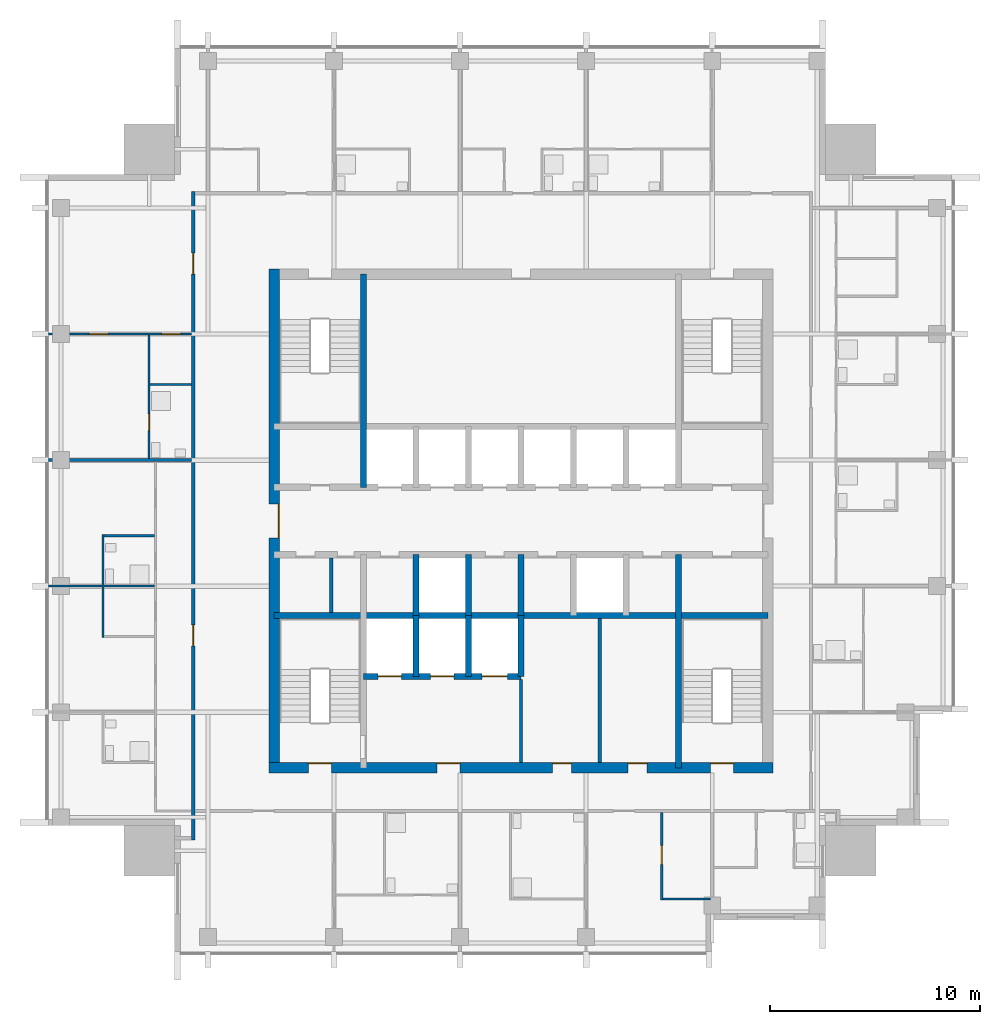
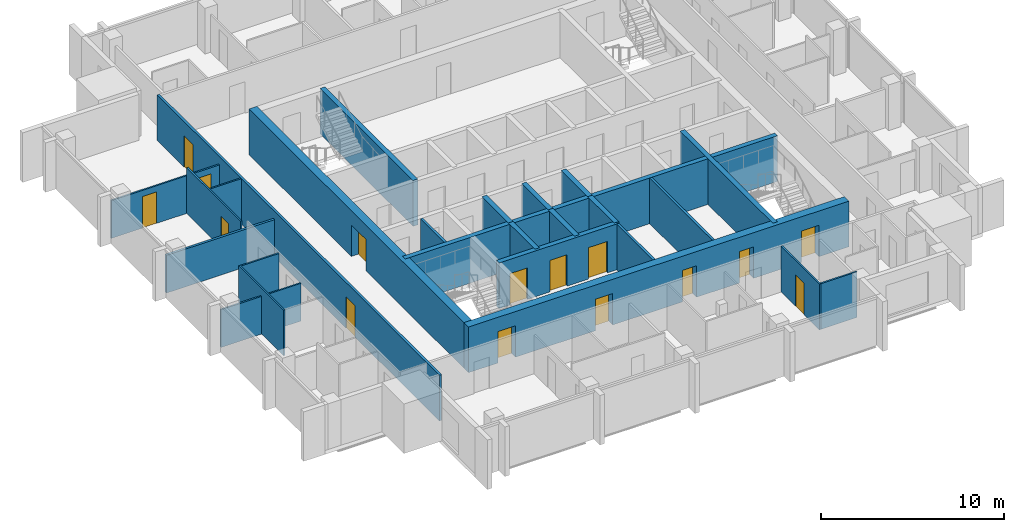
# One storey, part 4 of 9: 25 walls, 15 doors, 15 openings.
"""IFC4 building model written with IfcOpenShell, lengths in metres."""

from ifc_helpers import new_model, si_unit, direction, frame, frame_2d, origin, place, context, subcontext, project, spatial, rectangle, extrude, material, layer, layer_set, type_object, element, fill, save


model = new_model("IFC4")

# Units and contexts
model_context = context("Model", 3, precision=1e-05, world=origin(), true_north=direction((0.0, 1.0)))
body_context = subcontext(model_context, "Body", "Model", "MODEL_VIEW")
ifc_project = project(units=[si_unit("LENGTHUNIT", "METRE"), si_unit("AREAUNIT", "SQUARE_METRE"), si_unit("VOLUMEUNIT", "CUBIC_METRE"), si_unit("PLANEANGLEUNIT", "RADIAN"), si_unit("MASSUNIT", "GRAM", prefix="KILO")], contexts=[model_context])

# Site, building, storey
site_placement = place(None, origin())
site = spatial("IfcSite", under=ifc_project, at=site_placement, CompositionType="ELEMENT")
building_placement = place(site_placement, origin())
building = spatial("IfcBuilding", under=site, at=building_placement, Name="Amberfall Residences", CompositionType="ELEMENT")
storey_placement = place(building_placement, frame((0.0, 0.0, 262.0)))
storey = spatial("IfcBuildingStorey", under=building, at=storey_placement, Name="L70", CompositionType="ELEMENT", Elevation=262.0)

# Walls
ifc_material_1 = material(Name="Concrete C50", Category="concrete")
ifc_layer_1 = layer(ifc_material_1, 0.300048828125)
ifc_layer_set_1 = layer_set([ifc_layer_1], Name="Core wall 300 C50")
wall_type_1 = type_object("IfcWallType", Name="Core wall 300 C50", PredefinedType="SHEAR", material=ifc_layer_set_1)
wall_1_placement = place(storey_placement, frame((62.75, 41.0, 0.0), z_axis=(0.0, 0.0, 1.0), x_axis=(1.0, 0.0, 0.0)))
element("IfcWall", 1, at=wall_1_placement, inside=storey, type_object=wall_type_1, Name="Core wall RW10 L70 H75", PredefinedType="SHEAR", context=body_context, shape_type="SweptSolid", body=[
    extrude(rectangle(XDim=23.5, YDim=0.300048828125, at=frame_2d((11.75, 0.0))), origin(), (0.0, 0.0, 1.0), 3.050048828125),
])
for number, where, z_axis, x_axis, name in (
    (2, (67.0, 47.10009765625, 0.0), (0.0, 0.0, 1.0), (0.0, 1.0, 0.0), "Core wall RW10 L70 V45N"),
    (3, (82.0, 33.75, 0.0), (0.0, 0.0, 1.0), (0.0, 1.0, 0.0), "Core wall RW10 L70 V195S"),
):
    element("IfcWall", number, at=place(storey_placement, frame(where, z_axis=z_axis, x_axis=x_axis)), inside=storey, type_object=wall_type_1, Name=name, PredefinedType="SHEAR", context=body_context, shape_type="SweptSolid", body=[
        extrude(rectangle(XDim=10.14990234375, YDim=0.300048828125, at=frame_2d((5.074951171875, 0.0))), origin(), (0.0, 0.0, 1.0), 3.050048828125),
    ])
for number, where, z_axis, x_axis, name in (
    (4, (69.5, 41.0, 0.0), (0.0, 0.0, 1.0), (0.0, 1.0, 0.0), "Core wall RW10 L70 LPD1"),
    (5, (72.0, 41.0, 0.0), (0.0, 0.0, 1.0), (0.0, 1.0, 0.0), "Core wall RW10 L70 LPD2"),
    (6, (74.5, 41.0, 0.0), (0.0, 0.0, 1.0), (0.0, 1.0, 0.0), "Core wall RW10 L70 LPD3"),
):
    element("IfcWall", number, at=place(storey_placement, frame(where, z_axis=z_axis, x_axis=x_axis)), inside=storey, type_object=wall_type_1, Name=name, PredefinedType="SHEAR", context=body_context, shape_type="SweptSolid", body=[
        extrude(rectangle(XDim=2.89990234375, YDim=0.300048828125, at=frame_2d((1.449951171875, 0.0))), origin(), (0.0, 0.0, 1.0), 3.050048828125),
    ])

# Wall, openings, doors
wall_2_placement = place(storey_placement, frame((67.0, 38.10009765625, 0.0), z_axis=(0.0, 0.0, 1.0), x_axis=(1.0, 0.0, 0.0)))
wall_2 = element("IfcWall", 7, at=wall_2_placement, inside=storey, type_object=wall_type_1, Name="Core wall RW10 L70 FFF", PredefinedType="SHEAR", context=body_context, shape_type="SweptSolid", body=[
    extrude(rectangle(XDim=7.5, YDim=0.300048828125, at=frame_2d((3.75, 0.0))), origin(), (0.0, 0.0, 1.0), 3.050048828125),
])
opening_1_placement = place(wall_2_placement, frame((0.699951171875, 0.0, 0.0)))
opening_1 = element("IfcOpeningElement", 8, at=opening_1_placement, cuts=wall_2, Name="Opening LD2", PredefinedType="OPENING", context=body_context, shape_type="SweptSolid", body=[
    extrude(rectangle(XDim=1.10009765625, YDim=2.10009765625, at=frame_2d((0.550048828125, 1.050048828125))), frame((0.0, 0.159912109375, 0.0), z_axis=(0.0, -1.0, 0.0), x_axis=(1.0, 0.0, 0.0)), (0.0, 0.0, 1.0), 0.320068359375),
])
opening_2_placement = place(wall_2_placement, frame((3.199951171875, 0.0, 0.0)))
opening_2 = element("IfcOpeningElement", 9, at=opening_2_placement, cuts=wall_2, Name="Opening LD2", PredefinedType="OPENING", context=body_context, shape_type="SweptSolid", body=[
    extrude(rectangle(XDim=1.10009765625, YDim=2.10009765625, at=frame_2d((0.550048828125, 1.050048828125))), frame((0.0, 0.159912109375, 0.0), z_axis=(0.0, -1.0, 0.0), x_axis=(1.0, 0.0, 0.0)), (0.0, 0.0, 1.0), 0.320068359375),
])
opening_3_placement = place(wall_2_placement, frame((5.64990234375, 0.0, 0.0)))
opening_3 = element("IfcOpeningElement", 10, at=opening_3_placement, cuts=wall_2, Name="Opening LD3", PredefinedType="OPENING", context=body_context, shape_type="SweptSolid", body=[
    extrude(rectangle(XDim=1.199951171875, YDim=2.10009765625, at=frame_2d((0.60009765625, 1.050048828125))), frame((0.0, 0.159912109375, 0.0), z_axis=(0.0, -1.0, 0.0), x_axis=(1.0, 0.0, 0.0)), (0.0, 0.0, 1.0), 0.320068359375),
])
ifc_material_2 = material(Name="Steel fire door set", Category="steel")
door_type_1 = type_object("IfcDoorType", Name="Firefighting lift landing door 1100 x 2100", OperationType="DOUBLE_DOOR_SLIDING", PredefinedType="DOOR", material=ifc_material_2)
door_1_placement = place(opening_1_placement, origin())
door_1 = element("IfcDoor", 11, at=door_1_placement, inside=storey, type_object=door_type_1, Name="Landing door FF1 L70", OperationType="DOUBLE_DOOR_SLIDING", OverallHeight=2.10009765625, OverallWidth=1.10009765625, PredefinedType="DOOR", context=body_context, shape_type="SweptSolid", body=[
    extrude(rectangle(XDim=1.10009765625, YDim=2.10009765625, at=frame_2d((0.550048828125, 1.050048828125))), frame((0.0, 0.02490234375, 0.0), z_axis=(0.0, -1.0, 0.0), x_axis=(1.0, 0.0, 0.0)), (0.0, 0.0, 1.0), 0.050048828125),
])
fill(opening_1, door_1)
door_2_placement = place(opening_2_placement, origin())
door_2 = element("IfcDoor", 12, at=door_2_placement, inside=storey, type_object=door_type_1, Name="Landing door FF2 L70", OperationType="DOUBLE_DOOR_SLIDING", OverallHeight=2.10009765625, OverallWidth=1.10009765625, PredefinedType="DOOR", context=body_context, shape_type="SweptSolid", body=[
    extrude(rectangle(XDim=1.10009765625, YDim=2.10009765625, at=frame_2d((0.550048828125, 1.050048828125))), frame((0.0, 0.02490234375, 0.0), z_axis=(0.0, -1.0, 0.0), x_axis=(1.0, 0.0, 0.0)), (0.0, 0.0, 1.0), 0.050048828125),
])
fill(opening_2, door_2)
door_type_2 = type_object("IfcDoorType", Name="Service lift landing door 1200 x 2100", OperationType="DOUBLE_DOOR_SLIDING", PredefinedType="DOOR", material=ifc_material_2)
door_3_placement = place(opening_3_placement, origin())
door_3 = element("IfcDoor", 13, at=door_3_placement, inside=storey, type_object=door_type_2, Name="Landing door SL1 L70", OperationType="DOUBLE_DOOR_SLIDING", OverallHeight=2.10009765625, OverallWidth=1.199951171875, PredefinedType="DOOR", context=body_context, shape_type="SweptSolid", body=[
    extrude(rectangle(XDim=1.199951171875, YDim=2.10009765625, at=frame_2d((0.60009765625, 1.050048828125))), frame((0.0, 0.02490234375, 0.0), z_axis=(0.0, -1.0, 0.0), x_axis=(1.0, 0.0, 0.0)), (0.0, 0.0, 1.0), 0.050048828125),
])
fill(opening_3, door_3)

# Walls
for number, where, z_axis, x_axis, name in (
    (14, (69.5, 38.10009765625, 0.0), (0.0, 0.0, 1.0), (0.0, 1.0, 0.0), "Core wall RW10 L70 FFD1"),
    (15, (72.0, 38.10009765625, 0.0), (0.0, 0.0, 1.0), (0.0, 1.0, 0.0), "Core wall RW10 L70 FFD2"),
    (16, (74.5, 38.10009765625, 0.0), (0.0, 0.0, 1.0), (0.0, 1.0, 0.0), "Core wall RW10 L70 FFD3"),
):
    element("IfcWall", number, at=place(storey_placement, frame(where, z_axis=z_axis, x_axis=x_axis)), inside=storey, type_object=wall_type_1, Name=name, PredefinedType="SHEAR", context=body_context, shape_type="SweptSolid", body=[
        extrude(rectangle(XDim=2.89990234375, YDim=0.300048828125, at=frame_2d((1.449951171875, 0.0))), origin(), (0.0, 0.0, 1.0), 3.050048828125),
    ])

# Wall, openings, doors
ifc_layer_2 = layer(ifc_material_1, 0.5)
ifc_layer_set_2 = layer_set([ifc_layer_2], Name="Core wall 500 C50")
wall_type_2 = type_object("IfcWallType", Name="Core wall 500 C50", PredefinedType="SHEAR", material=ifc_layer_set_2)
wall_3_placement = place(storey_placement, frame((62.5, 33.75, 0.0), z_axis=(0.0, 0.0, 1.0), x_axis=(1.0, 0.0, 0.0)))
wall_3 = element("IfcWall", 17, at=wall_3_placement, inside=storey, type_object=wall_type_2, Name="Core wall RW9 L70 OS", PredefinedType="SHEAR", context=body_context, shape_type="SweptSolid", body=[
    extrude(rectangle(XDim=24.0, YDim=0.5, at=frame_2d((12.0, 0.0))), origin(), (0.0, 0.0, 1.0), 3.050048828125),
])
opening_4_placement = place(wall_3_placement, frame((1.875, 0.0, 0.0)))
opening_4 = element("IfcOpeningElement", 18, at=opening_4_placement, cuts=wall_3, Name="Opening SD1", PredefinedType="OPENING", context=body_context, shape_type="SweptSolid", body=[
    extrude(rectangle(XDim=1.10009765625, YDim=2.10009765625, at=frame_2d((0.550048828125, 1.050048828125))), frame((0.0, 0.260009765625, 0.0), z_axis=(0.0, -1.0, 0.0), x_axis=(1.0, 0.0, 0.0)), (0.0, 0.0, 1.0), 0.52001953125),
])
opening_5_placement = place(wall_3_placement, frame((21.02490234375, 0.0, 0.0)))
opening_5 = element("IfcOpeningElement", 19, at=opening_5_placement, cuts=wall_3, Name="Opening SD1", PredefinedType="OPENING", context=body_context, shape_type="SweptSolid", body=[
    extrude(rectangle(XDim=1.10009765625, YDim=2.10009765625, at=frame_2d((0.550048828125, 1.050048828125))), frame((0.0, 0.260009765625, 0.0), z_axis=(0.0, -1.0, 0.0), x_axis=(1.0, 0.0, 0.0)), (0.0, 0.0, 1.0), 0.52001953125),
])
opening_6_placement = place(wall_3_placement, frame((8.0, 0.0, 0.0)))
opening_6 = element("IfcOpeningElement", 20, at=opening_6_placement, cuts=wall_3, Name="Opening FL1", PredefinedType="OPENING", context=body_context, shape_type="SweptSolid", body=[
    extrude(rectangle(XDim=1.10009765625, YDim=2.10009765625, at=frame_2d((0.550048828125, 1.050048828125))), frame((0.0, 0.260009765625, 0.0), z_axis=(0.0, -1.0, 0.0), x_axis=(1.0, 0.0, 0.0)), (0.0, 0.0, 1.0), 0.52001953125),
])
opening_7_placement = place(wall_3_placement, frame((13.5, 0.0, 0.0)))
opening_7 = element("IfcOpeningElement", 21, at=opening_7_placement, cuts=wall_3, Name="Opening RD1", PredefinedType="OPENING", context=body_context, shape_type="SweptSolid", body=[
    extrude(rectangle(XDim=0.89990234375, YDim=2.10009765625, at=frame_2d((0.449951171875, 1.050048828125))), frame((0.0, 0.260009765625, 0.0), z_axis=(0.0, -1.0, 0.0), x_axis=(1.0, 0.0, 0.0)), (0.0, 0.0, 1.0), 0.52001953125),
])
opening_8_placement = place(wall_3_placement, frame((17.10009765625, 0.0, 0.0)))
opening_8 = element("IfcOpeningElement", 22, at=opening_8_placement, cuts=wall_3, Name="Opening RD1", PredefinedType="OPENING", context=body_context, shape_type="SweptSolid", body=[
    extrude(rectangle(XDim=0.89990234375, YDim=2.10009765625, at=frame_2d((0.449951171875, 1.050048828125))), frame((0.0, 0.260009765625, 0.0), z_axis=(0.0, -1.0, 0.0), x_axis=(1.0, 0.0, 0.0)), (0.0, 0.0, 1.0), 0.52001953125),
])
door_type_3 = type_object("IfcDoorType", Name="Firefighting lobby door 1100 x 2100", OperationType="SINGLE_SWING_LEFT", PredefinedType="DOOR", material=ifc_material_2)
door_4_placement = place(opening_6_placement, origin())
door_4 = element("IfcDoor", 23, at=door_4_placement, inside=storey, type_object=door_type_3, Name="FL1 L70", OperationType="SINGLE_SWING_LEFT", OverallHeight=2.10009765625, OverallWidth=1.10009765625, PredefinedType="DOOR", context=body_context, shape_type="SweptSolid", body=[
    extrude(rectangle(XDim=1.10009765625, YDim=2.10009765625, at=frame_2d((0.550048828125, 1.050048828125))), frame((0.0, 0.2373046875, 0.0), z_axis=(0.0, -1.0, 0.0), x_axis=(1.0, 0.0, 0.0)), (0.0, 0.0, 1.0), 0.050048828125),
])
fill(opening_6, door_4)
door_type_4 = type_object("IfcDoorType", Name="Service room door 900 x 2100", OperationType="SINGLE_SWING_LEFT", PredefinedType="DOOR", material=ifc_material_2)
door_5_placement = place(opening_7_placement, origin())
door_5 = element("IfcDoor", 24, at=door_5_placement, inside=storey, type_object=door_type_4, Name="RD1 L70", OperationType="SINGLE_SWING_LEFT", OverallHeight=2.10009765625, OverallWidth=0.89990234375, PredefinedType="DOOR", context=body_context, shape_type="SweptSolid", body=[
    extrude(rectangle(XDim=0.89990234375, YDim=2.10009765625, at=frame_2d((0.449951171875, 1.050048828125))), frame((0.0, 0.2373046875, 0.0), z_axis=(0.0, -1.0, 0.0), x_axis=(1.0, 0.0, 0.0)), (0.0, 0.0, 1.0), 0.050048828125),
])
fill(opening_7, door_5)
door_6_placement = place(opening_8_placement, origin())
door_6 = element("IfcDoor", 25, at=door_6_placement, inside=storey, type_object=door_type_4, Name="RD1 L70", OperationType="SINGLE_SWING_LEFT", OverallHeight=2.10009765625, OverallWidth=0.89990234375, PredefinedType="DOOR", context=body_context, shape_type="SweptSolid", body=[
    extrude(rectangle(XDim=0.89990234375, YDim=2.10009765625, at=frame_2d((0.449951171875, 1.050048828125))), frame((0.0, 0.2373046875, 0.0), z_axis=(0.0, -1.0, 0.0), x_axis=(1.0, 0.0, 0.0)), (0.0, 0.0, 1.0), 0.050048828125),
])
fill(opening_8, door_6)
door_type_5 = type_object("IfcDoorType", Name="Stair door 1100 x 2100", OperationType="SINGLE_SWING_LEFT", PredefinedType="DOOR", material=ifc_material_2)
door_7_placement = place(opening_4_placement, origin())
door_7 = element("IfcDoor", 26, at=door_7_placement, inside=storey, type_object=door_type_5, Name="SD1 L70", OperationType="SINGLE_SWING_LEFT", OverallHeight=2.10009765625, OverallWidth=1.10009765625, PredefinedType="DOOR", context=body_context, shape_type="SweptSolid", body=[
    extrude(rectangle(XDim=1.10009765625, YDim=2.10009765625, at=frame_2d((0.550048828125, 1.050048828125))), frame((0.0, 0.2373046875, 0.0), z_axis=(0.0, -1.0, 0.0), x_axis=(1.0, 0.0, 0.0)), (0.0, 0.0, 1.0), 0.050048828125),
])
fill(opening_4, door_7)
door_8_placement = place(opening_5_placement, origin())
door_8 = element("IfcDoor", 27, at=door_8_placement, inside=storey, type_object=door_type_5, Name="SD1 L70", OperationType="SINGLE_SWING_RIGHT", OverallHeight=2.10009765625, OverallWidth=1.10009765625, PredefinedType="DOOR", context=body_context, shape_type="SweptSolid", body=[
    extrude(rectangle(XDim=1.10009765625, YDim=2.10009765625, at=frame_2d((0.550048828125, 1.050048828125))), frame((0.0, 0.2373046875, 0.0), z_axis=(0.0, -1.0, 0.0), x_axis=(1.0, 0.0, 0.0)), (0.0, 0.0, 1.0), 0.050048828125),
])
fill(opening_5, door_8)

# Wall, opening, door
wall_4_placement = place(storey_placement, frame((62.75, 33.5, 0.0), z_axis=(0.0, 0.0, 1.0), x_axis=(0.0, 1.0, 0.0)))
wall_4 = element("IfcWall", 28, at=wall_4_placement, inside=storey, type_object=wall_type_2, Name="Core wall RW9 L70 OW", PredefinedType="SHEAR", context=body_context, shape_type="SweptSolid", body=[
    extrude(rectangle(XDim=24.0, YDim=0.5, at=frame_2d((12.0, 0.0))), origin(), (0.0, 0.0, 1.0), 3.050048828125),
])
opening_9_placement = place(wall_4_placement, frame((11.199951171875, 0.0, 0.0)))
opening_9 = element("IfcOpeningElement", 29, at=opening_9_placement, cuts=wall_4, Name="Opening LB1", PredefinedType="OPENING", context=body_context, shape_type="SweptSolid", body=[
    extrude(rectangle(XDim=1.60009765625, YDim=2.10009765625, at=frame_2d((0.800048828125, 1.050048828125))), frame((0.0, 0.260009765625, 0.0), z_axis=(0.0, -1.0, 0.0), x_axis=(1.0, 0.0, 0.0)), (0.0, 0.0, 1.0), 0.52001953125),
])
door_type_6 = type_object("IfcDoorType", Name="Lift lobby double door 1600 x 2100", OperationType="DOUBLE_DOOR_SINGLE_SWING", PredefinedType="DOOR", material=ifc_material_2)
door_9_placement = place(opening_9_placement, origin())
door_9 = element("IfcDoor", 30, at=door_9_placement, inside=storey, type_object=door_type_6, Name="LB1 L70", OperationType="DOUBLE_DOOR_SINGLE_SWING", OverallHeight=2.10009765625, OverallWidth=1.60009765625, PredefinedType="DOOR", context=body_context, shape_type="SweptSolid", body=[
    extrude(rectangle(XDim=1.60009765625, YDim=2.10009765625, at=frame_2d((0.800048828125, 1.050048828125))), frame((0.0, -0.1875, 0.0), z_axis=(0.0, -1.0, 0.0), x_axis=(1.0, 0.0, 0.0)), (0.0, 0.0, 1.0), 0.050048828125),
])
fill(opening_9, door_9)

# Wall
ifc_material_3 = material(Name="Gypsum board on metal stud")
ifc_layer_3 = layer(ifc_material_3, 0.10009765625)
ifc_layer_set_3 = layer_set([ifc_layer_3], Name="Flat partition 100")
wall_type_3 = type_object("IfcWallType", Name="Flat partition 100", PredefinedType="PARTITIONING", material=ifc_layer_set_3)
wall_5_placement = place(storey_placement, frame((54.60009765625, 39.949951171875, 0.0), z_axis=(0.0, 0.0, 1.0), x_axis=(0.0, 1.0, 0.0)))
element("IfcWall", 31, at=wall_5_placement, inside=storey, type_object=wall_type_3, Name="Partition 002", PredefinedType="PARTITIONING", context=body_context, shape_type="SweptSolid", body=[
    extrude(rectangle(XDim=4.900146484375, YDim=0.10009765625, at=frame_2d((2.4501953125, 0.0))), origin(), (0.0, 0.0, 1.0), 3.050048828125),
])

# Wall, opening, door
wall_6_placement = place(storey_placement, frame((56.800048828125, 54.35009765625, 0.0), z_axis=(0.0, 0.0, 1.0), x_axis=(0.0, -1.0, 0.0)))
wall_6 = element("IfcWall", 32, at=wall_6_placement, inside=storey, type_object=wall_type_3, Name="Partition 003", PredefinedType="PARTITIONING", context=body_context, shape_type="SweptSolid", body=[
    extrude(rectangle(XDim=5.875, YDim=0.10009765625, at=frame_2d((2.9375, 0.0))), origin(), (0.0, 0.0, 1.0), 3.050048828125),
])
opening_10_placement = place(wall_6_placement, frame((3.75, 0.0, 0.0)))
opening_10 = element("IfcOpeningElement", 33, at=opening_10_placement, cuts=wall_6, Name="Opening D42", PredefinedType="OPENING", context=body_context, shape_type="SweptSolid", body=[
    extrude(rectangle(XDim=0.800048828125, YDim=2.10009765625, at=frame_2d((0.39990234375, 1.050048828125))), frame((0.0, 0.06005859375, 0.0), z_axis=(0.0, -1.0, 0.0), x_axis=(1.0, 0.0, 0.0)), (0.0, 0.0, 1.0), 0.1201171875),
])
ifc_material_4 = material(Name="Timber", Category="wood")
door_type_7 = type_object("IfcDoorType", Name="Bathroom door 800 x 2100", OperationType="SINGLE_SWING_LEFT", PredefinedType="DOOR", material=ifc_material_4)
door_10_placement = place(opening_10_placement, origin())
door_10 = element("IfcDoor", 34, at=door_10_placement, inside=storey, type_object=door_type_7, Name="Door 7010 bath1", OperationType="SINGLE_SWING_LEFT", OverallHeight=2.10009765625, OverallWidth=0.800048828125, PredefinedType="DOOR", context=body_context, shape_type="SweptSolid", body=[
    extrude(rectangle(XDim=0.800048828125, YDim=2.10009765625, at=frame_2d((0.39990234375, 1.050048828125))), frame((0.0, 0.02490234375, 0.0), z_axis=(0.0, -1.0, 0.0), x_axis=(1.0, 0.0, 0.0)), (0.0, 0.0, 1.0), 0.050048828125),
])
fill(opening_10, door_10)

wall_7_placement = place(storey_placement, frame((81.199951171875, 31.625, 0.0), z_axis=(0.0, 0.0, 1.0), x_axis=(0.0, -1.0, 0.0)))
wall_7 = element("IfcWall", 35, at=wall_7_placement, inside=storey, type_object=wall_type_3, Name="Partition 014", PredefinedType="PARTITIONING", context=body_context, shape_type="SweptSolid", body=[
    extrude(rectangle(XDim=4.175048828125, YDim=0.10009765625, at=frame_2d((2.08740234375, 0.0))), origin(), (0.0, 0.0, 1.0), 3.050048828125),
])
opening_11_placement = place(wall_7_placement, frame((1.574951171875, 0.0, 0.0)))
opening_11 = element("IfcOpeningElement", 36, at=opening_11_placement, cuts=wall_7, Name="Opening D41", PredefinedType="OPENING", context=body_context, shape_type="SweptSolid", body=[
    extrude(rectangle(XDim=0.89990234375, YDim=2.10009765625, at=frame_2d((0.449951171875, 1.050048828125))), frame((0.0, 0.06005859375, 0.0), z_axis=(0.0, -1.0, 0.0), x_axis=(1.0, 0.0, 0.0)), (0.0, 0.0, 1.0), 0.1201171875),
])
door_type_8 = type_object("IfcDoorType", Name="Internal door 900 x 2100", OperationType="SINGLE_SWING_LEFT", PredefinedType="DOOR", material=ifc_material_4)
door_11_placement = place(opening_11_placement, origin())
door_11 = element("IfcDoor", 37, at=door_11_placement, inside=storey, type_object=door_type_8, Name="Door 7002 kitchen", OperationType="SINGLE_SWING_LEFT", OverallHeight=2.10009765625, OverallWidth=0.89990234375, PredefinedType="DOOR", context=body_context, shape_type="SweptSolid", body=[
    extrude(rectangle(XDim=0.89990234375, YDim=2.10009765625, at=frame_2d((0.449951171875, 1.050048828125))), frame((0.0, 0.02490234375, 0.0), z_axis=(0.0, -1.0, 0.0), x_axis=(1.0, 0.0, 0.0)), (0.0, 0.0, 1.0), 0.050048828125),
])
fill(opening_11, door_11)

# Wall, openings, doors
wall_8_placement = place(storey_placement, frame((58.824951171875, 54.39990234375, 0.0), z_axis=(0.0, 0.0, 1.0), x_axis=(-1.0, 0.0, 0.0)))
wall_8 = element("IfcWall", 38, at=wall_8_placement, inside=storey, type_object=wall_type_3, Name="Partition 030", PredefinedType="PARTITIONING", context=body_context, shape_type="SweptSolid", body=[
    extrude(rectangle(XDim=6.824951171875, YDim=0.10009765625, at=frame_2d((3.41259765625, 0.0))), origin(), (0.0, 0.0, 1.0), 2.51611328125),
])
opening_12_placement = place(wall_8_placement, frame((0.52490234375, 0.0, 0.0)))
opening_12 = element("IfcOpeningElement", 39, at=opening_12_placement, cuts=wall_8, Name="Opening D41", PredefinedType="OPENING", context=body_context, shape_type="SweptSolid", body=[
    extrude(rectangle(XDim=0.89990234375, YDim=2.10009765625, at=frame_2d((0.449951171875, 1.050048828125))), frame((0.0, 0.06005859375, 0.0), z_axis=(0.0, -1.0, 0.0), x_axis=(1.0, 0.0, 0.0)), (0.0, 0.0, 1.0), 0.1201171875),
])
opening_13_placement = place(wall_8_placement, frame((3.97509765625, 0.0, 0.0)))
opening_13 = element("IfcOpeningElement", 40, at=opening_13_placement, cuts=wall_8, Name="Opening D41", PredefinedType="OPENING", context=body_context, shape_type="SweptSolid", body=[
    extrude(rectangle(XDim=0.89990234375, YDim=2.10009765625, at=frame_2d((0.449951171875, 1.050048828125))), frame((0.0, 0.06005859375, 0.0), z_axis=(0.0, -1.0, 0.0), x_axis=(1.0, 0.0, 0.0)), (0.0, 0.0, 1.0), 0.1201171875),
])
door_12_placement = place(opening_12_placement, origin())
door_12 = element("IfcDoor", 41, at=door_12_placement, inside=storey, type_object=door_type_8, Name="Door 7010 kitchen", OperationType="SINGLE_SWING_LEFT", OverallHeight=2.10009765625, OverallWidth=0.89990234375, PredefinedType="DOOR", context=body_context, shape_type="SweptSolid", body=[
    extrude(rectangle(XDim=0.89990234375, YDim=2.10009765625, at=frame_2d((0.449951171875, 1.050048828125))), frame((0.0, 0.02490234375, 0.0), z_axis=(0.0, -1.0, 0.0), x_axis=(1.0, 0.0, 0.0)), (0.0, 0.0, 1.0), 0.050048828125),
])
fill(opening_12, door_12)
door_13_placement = place(opening_13_placement, origin())
door_13 = element("IfcDoor", 42, at=door_13_placement, inside=storey, type_object=door_type_8, Name="Door 7010 bedroom1", OperationType="SINGLE_SWING_LEFT", OverallHeight=2.10009765625, OverallWidth=0.89990234375, PredefinedType="DOOR", context=body_context, shape_type="SweptSolid", body=[
    extrude(rectangle(XDim=0.89990234375, YDim=2.10009765625, at=frame_2d((0.449951171875, 1.050048828125))), frame((0.0, 0.02490234375, 0.0), z_axis=(0.0, -1.0, 0.0), x_axis=(1.0, 0.0, 0.0)), (0.0, 0.0, 1.0), 0.050048828125),
])
fill(opening_13, door_13)

# Walls
wall_9_placement = place(storey_placement, frame((56.85009765625, 52.0, 0.0), z_axis=(0.0, 0.0, 1.0), x_axis=(1.0, 0.0, 0.0)))
element("IfcWall", 43, at=wall_9_placement, inside=storey, type_object=wall_type_3, Name="Partition 032", PredefinedType="PARTITIONING", context=body_context, shape_type="SweptSolid", body=[
    extrude(rectangle(XDim=1.974853515625, YDim=0.10009765625, at=frame_2d((0.9873046875, 0.0))), origin(), (0.0, 0.0, 1.0), 3.050048828125),
])
wall_10_placement = place(storey_placement, frame((54.64990234375, 44.800048828125, 0.0), z_axis=(0.0, 0.0, 1.0), x_axis=(1.0, 0.0, 0.0)))
element("IfcWall", 44, at=wall_10_placement, inside=storey, type_object=wall_type_3, Name="Partition 036", PredefinedType="PARTITIONING", context=body_context, shape_type="SweptSolid", body=[
    extrude(rectangle(XDim=2.400146484375, YDim=0.10009765625, at=frame_2d((1.2001953125, 0.0))), origin(), (0.0, 0.0, 1.0), 3.050048828125),
])
wall_11_placement = place(storey_placement, frame((52.0, 42.39990234375, 0.0), z_axis=(0.0, 0.0, 1.0), x_axis=(1.0, 0.0, 0.0)))
element("IfcWall", 45, at=wall_11_placement, inside=storey, type_object=wall_type_3, Name="Partition 037", PredefinedType="PARTITIONING", context=body_context, shape_type="SweptSolid", body=[
    extrude(rectangle(XDim=5.050048828125, YDim=0.10009765625, at=frame_2d((2.52490234375, 0.0))), origin(), (0.0, 0.0, 1.0), 2.51611328125),
])
wall_12_placement = place(storey_placement, frame((81.25, 27.5, 0.0), z_axis=(0.0, 0.0, 1.0), x_axis=(1.0, 0.0, 0.0)))
element("IfcWall", 46, at=wall_12_placement, inside=storey, type_object=wall_type_3, Name="Partition 048", PredefinedType="PARTITIONING", context=body_context, shape_type="SweptSolid", body=[
    extrude(rectangle(XDim=2.27490234375, YDim=0.10009765625, at=frame_2d((1.137451171875, 0.0))), origin(), (0.0, 0.0, 1.0), 3.050048828125),
])

# Wall, openings, doors
ifc_material_5 = material(Name="Blockwork, plastered", Category="masonry")
ifc_layer_4 = layer(ifc_material_5, 0.14990234375)
ifc_layer_set_4 = layer_set([ifc_layer_4], Name="Flat separating wall 150")
wall_type_4 = type_object("IfcWallType", Name="Flat separating wall 150", PredefinedType="PARTITIONING", material=ifc_layer_set_4)
wall_13_placement = place(storey_placement, frame((58.89990234375, 30.324951171875, 0.0), z_axis=(0.0, 0.0, 1.0), x_axis=(0.0, 1.0, 0.0)))
wall_13 = element("IfcWall", 47, at=wall_13_placement, inside=storey, type_object=wall_type_4, Name="Separating wall 049", PredefinedType="PARTITIONING", context=body_context, shape_type="SweptSolid", body=[
    extrude(rectangle(XDim=30.85009765625, YDim=0.14990234375, at=frame_2d((15.425048828125, 0.0))), origin(), (0.0, 0.0, 1.0), 3.050048828125),
])
opening_14_placement = place(wall_13_placement, frame((9.22509765625, 0.0, 0.0)))
opening_14 = element("IfcOpeningElement", 48, at=opening_14_placement, cuts=wall_13, Name="Opening D40", PredefinedType="OPENING", context=body_context, shape_type="SweptSolid", body=[
    extrude(rectangle(XDim=1.0, YDim=2.10009765625, at=frame_2d((0.5, 1.050048828125))), frame((0.0, 0.0849609375, 0.0), z_axis=(0.0, -1.0, 0.0), x_axis=(1.0, 0.0, 0.0)), (0.0, 0.0, 1.0), 0.169921875),
])
opening_15_placement = place(wall_13_placement, frame((26.925048828125, 0.0, 0.0)))
opening_15 = element("IfcOpeningElement", 49, at=opening_15_placement, cuts=wall_13, Name="Opening D40", PredefinedType="OPENING", context=body_context, shape_type="SweptSolid", body=[
    extrude(rectangle(XDim=1.0, YDim=2.10009765625, at=frame_2d((0.5, 1.050048828125))), frame((0.0, 0.0849609375, 0.0), z_axis=(0.0, -1.0, 0.0), x_axis=(1.0, 0.0, 0.0)), (0.0, 0.0, 1.0), 0.169921875),
])
ifc_material_6 = material(Name="Timber, fire-rated", Category="wood")
door_type_9 = type_object("IfcDoorType", Name="Flat entrance door FD60 1000 x 2100", OperationType="SINGLE_SWING_LEFT", PredefinedType="DOOR", material=ifc_material_6)
door_14_placement = place(opening_14_placement, origin())
door_14 = element("IfcDoor", 50, at=door_14_placement, inside=storey, type_object=door_type_9, Name="Door 7009 entrance", OperationType="SINGLE_SWING_LEFT", OverallHeight=2.10009765625, OverallWidth=1.0, PredefinedType="DOOR", context=body_context, shape_type="SweptSolid", body=[
    extrude(rectangle(XDim=1.0, YDim=2.10009765625, at=frame_2d((0.5, 1.050048828125))), frame((0.0, 0.02490234375, 0.0), z_axis=(0.0, -1.0, 0.0), x_axis=(1.0, 0.0, 0.0)), (0.0, 0.0, 1.0), 0.050048828125),
])
fill(opening_14, door_14)
door_15_placement = place(opening_15_placement, origin())
door_15 = element("IfcDoor", 51, at=door_15_placement, inside=storey, type_object=door_type_9, Name="Door 7010 entrance", OperationType="SINGLE_SWING_LEFT", OverallHeight=2.10009765625, OverallWidth=1.0, PredefinedType="DOOR", context=body_context, shape_type="SweptSolid", body=[
    extrude(rectangle(XDim=1.0, YDim=2.10009765625, at=frame_2d((0.5, 1.050048828125))), frame((0.0, 0.02490234375, 0.0), z_axis=(0.0, -1.0, 0.0), x_axis=(1.0, 0.0, 0.0)), (0.0, 0.0, 1.0), 0.050048828125),
])
fill(opening_15, door_15)

# Walls
wall_14_placement = place(storey_placement, frame((52.0, 48.39990234375, 0.0), z_axis=(0.0, 0.0, 1.0), x_axis=(1.0, 0.0, 0.0)))
element("IfcWall", 52, at=wall_14_placement, inside=storey, type_object=wall_type_4, Name="Separating wall 059", PredefinedType="PARTITIONING", context=body_context, shape_type="SweptSolid", body=[
    extrude(rectangle(XDim=6.824951171875, YDim=0.14990234375, at=frame_2d((3.41259765625, 0.0))), origin(), (0.0, 0.0, 1.0), 2.51611328125),
])
ifc_material_7 = material(Name="Concrete blockwork", Category="masonry")
ifc_layer_5 = layer(ifc_material_7, 0.14990234375)
ifc_layer_set_5 = layer_set([ifc_layer_5], Name="Riser wall 150")
wall_type_5 = type_object("IfcWallType", Name="Riser wall 150", PredefinedType="PLUMBINGWALL", material=ifc_layer_set_5)
wall_15_placement = place(storey_placement, frame((74.5, 34.0, 0.0), z_axis=(0.0, 0.0, 1.0), x_axis=(0.0, 1.0, 0.0)))
element("IfcWall", 53, at=wall_15_placement, inside=storey, type_object=wall_type_5, Name="L70 core wall PX", PredefinedType="PLUMBINGWALL", context=body_context, shape_type="SweptSolid", body=[
    extrude(rectangle(XDim=3.949951171875, YDim=0.14990234375, at=frame_2d((1.97509765625, 0.0))), origin(), (0.0, 0.0, 1.0), 3.050048828125),
])
wall_16_placement = place(storey_placement, frame((78.25, 34.0, 0.0), z_axis=(0.0, 0.0, 1.0), x_axis=(0.0, 1.0, 0.0)))
element("IfcWall", 54, at=wall_16_placement, inside=storey, type_object=wall_type_5, Name="L70 core wall E0", PredefinedType="PLUMBINGWALL", context=body_context, shape_type="SweptSolid", body=[
    extrude(rectangle(XDim=6.85009765625, YDim=0.14990234375, at=frame_2d((3.425048828125, 0.0))), origin(), (0.0, 0.0, 1.0), 3.050048828125),
])
wall_17_placement = place(storey_placement, frame((65.464111328125, 41.14990234375, 0.0), z_axis=(0.0, 0.0, 1.0), x_axis=(0.0, 1.0, 0.0)))
element("IfcWall", 55, at=wall_17_placement, inside=storey, type_object=wall_type_5, Name="L70 core wall ASW0", PredefinedType="PLUMBINGWALL", context=body_context, shape_type="SweptSolid", body=[
    extrude(rectangle(XDim=2.60009765625, YDim=0.14990234375, at=frame_2d((1.300048828125, 0.0))), origin(), (0.0, 0.0, 1.0), 3.050048828125),
])

save(model, "model.ifc")
